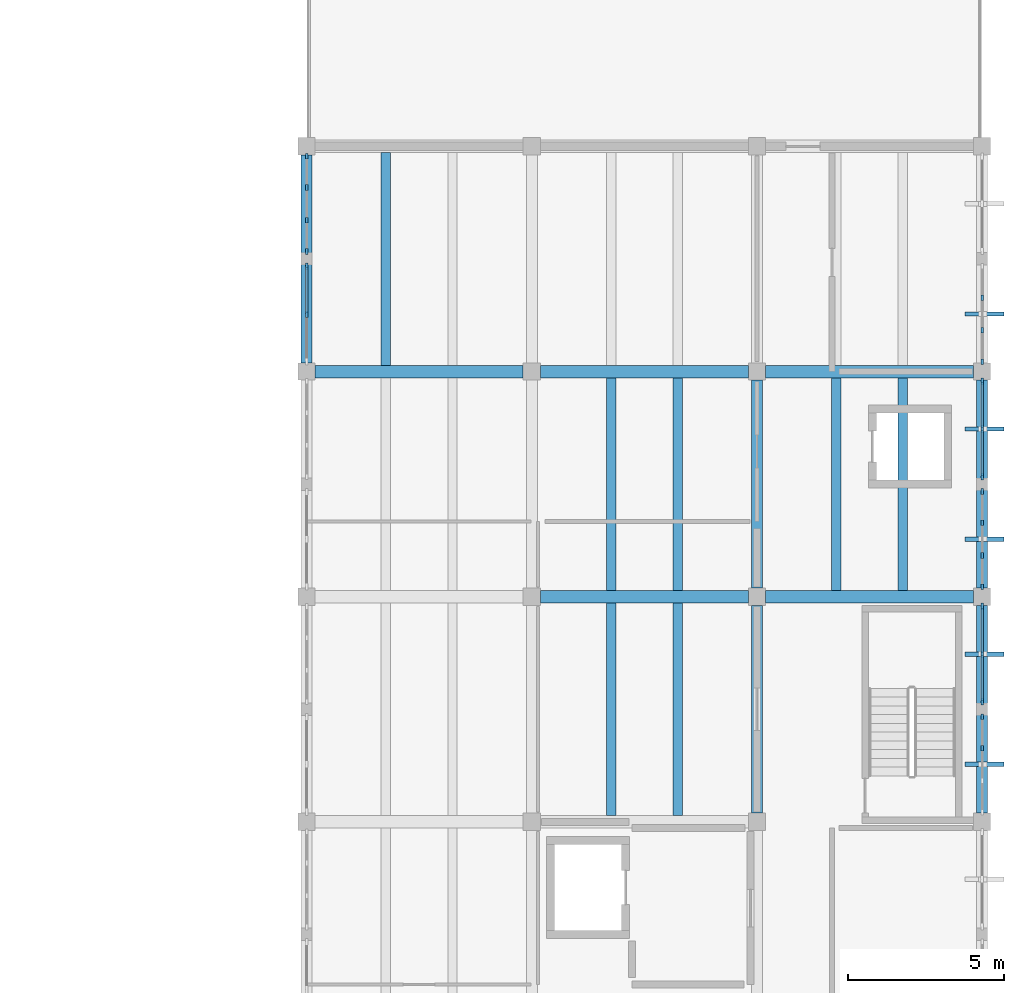
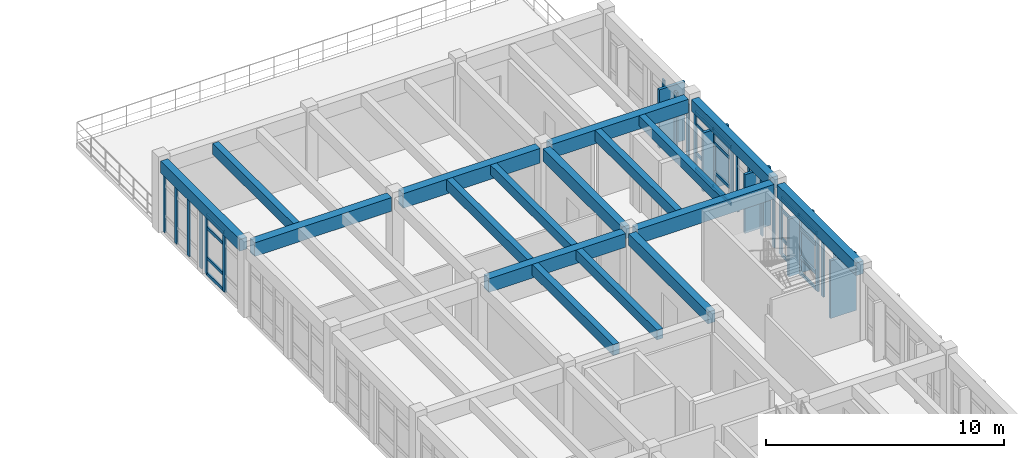
# One storey, part 5 of 22: 46 members, 17 beams, 7 elements without a shape of their own.
"""IFC4 building model written with IfcOpenShell, lengths in metres."""

from ifc_helpers import new_model, si_unit, direction, frame, origin, origin_2d, place, context, subcontext, project, spatial, rectangle, extrude, material, layer, layer_set, material_profile, profile_set, type_object, element, aggregate, save


model = new_model("IFC4")

# Units and contexts
model_context = context("Model", 3, precision=1e-05, world=origin(), true_north=direction((0.0, 1.0)))
body_context = subcontext(model_context, "Body", "Model", "MODEL_VIEW")
ifc_project = project(units=[si_unit("LENGTHUNIT", "METRE"), si_unit("AREAUNIT", "SQUARE_METRE"), si_unit("VOLUMEUNIT", "CUBIC_METRE"), si_unit("PLANEANGLEUNIT", "RADIAN"), si_unit("MASSUNIT", "GRAM", prefix="KILO")], contexts=[model_context])

# Site, building, storey
site_placement = place(None, origin())
site = spatial("IfcSite", under=ifc_project, at=site_placement, CompositionType="ELEMENT")
building_placement = place(site_placement, origin())
building = spatial("IfcBuilding", under=site, at=building_placement, Name="Koriwan Promenade Central Fire Station", CompositionType="ELEMENT")
storey_placement = place(building_placement, frame((0.0, 0.0, 17.39990234375)))
storey = spatial("IfcBuildingStorey", under=building, at=storey_placement, Name="L04", CompositionType="ELEMENT", Elevation=17.39990234375)

# Beams
ifc_material_1 = material(Name="Concrete C35/45", Category="concrete")
ifc_material_profile_1 = material_profile(ifc_material_1, rectangle(XDim=0.300048828125, YDim=0.5, at=origin_2d()), Name="RC-BM-300x500")
ifc_profile_set_1 = profile_set([ifc_material_profile_1], Name="Concrete C35/45")
beam_type_1 = type_object("IfcBeamType", Name="Beam_RC-BM-300x500", PredefinedType="JOIST", material=ifc_profile_set_1)
beam_1_placement = place(storey_placement, frame((163.06396484375, 14.60009765625, 3.3701171875), z_axis=(0.0, 1.0, 0.0), x_axis=(-1.0, 0.0, 0.0)))
element("IfcBeam", 1, at=beam_1_placement, inside=storey, type_object=beam_type_1, Name="V5 L04 secondary joist 975", PredefinedType="JOIST", context=body_context, shape_type="SweptSolid", body=[
    extrude(rectangle(XDim=0.300048828125, YDim=0.5, at=origin_2d()), origin(), (0.0, 0.0, 1.0), 6.7998046875),
])
for number, where, z_axis, x_axis, name in (
    (2, (163.06396484375, 21.800048828125, 3.3701171875), (0.0, 1.0, 0.0), (-1.0, 0.0, 0.0), "V5 L04 secondary joist 979"),
    (3, (170.263916015625, 21.800048828125, 3.3701171875), (0.0, 1.0, 0.0), (-1.0, 0.0, 0.0), "V5 L04 secondary joist 981"),
):
    element("IfcBeam", number, at=place(storey_placement, frame(where, z_axis=z_axis, x_axis=x_axis)), inside=storey, type_object=beam_type_1, Name=name, PredefinedType="JOIST", context=body_context, shape_type="SweptSolid", body=[
        extrude(rectangle(XDim=0.300048828125, YDim=0.5, at=origin_2d()), origin(), (0.0, 0.0, 1.0), 6.800048828125),
    ])
ifc_material_profile_2 = material_profile(ifc_material_1, rectangle(XDim=0.300048828125, YDim=0.550048828125, at=origin_2d()), Name="RC-BM-300x550")
ifc_profile_set_2 = profile_set([ifc_material_profile_2], Name="Concrete C35/45")
beam_type_2 = type_object("IfcBeamType", Name="Beam_RC-BM-300x550", PredefinedType="JOIST", material=ifc_profile_set_2)
beam_2_placement = place(storey_placement, frame((160.93603515625, 14.60009765625, 3.34521484375), z_axis=(0.0, 1.0, 0.0), x_axis=(-1.0, 0.0, 0.0)))
element("IfcBeam", 4, at=beam_2_placement, inside=storey, type_object=beam_type_2, Name="V5 L04 secondary joist 974", PredefinedType="JOIST", context=body_context, shape_type="SweptSolid", body=[
    extrude(rectangle(XDim=0.300048828125, YDim=0.550048828125, at=origin_2d()), origin(), (0.0, 0.0, 1.0), 6.7998046875),
])
for number, where, z_axis, x_axis, name in (
    (5, (160.93603515625, 21.800048828125, 3.34521484375), (0.0, 1.0, 0.0), (-1.0, 0.0, 0.0), "V5 L04 secondary joist 978"),
    (6, (168.135986328125, 21.800048828125, 3.34521484375), (0.0, 1.0, 0.0), (-1.0, 0.0, 0.0), "V5 L04 secondary joist 980"),
    (7, (153.736083984375, 29.0, 3.34521484375), (0.0, 1.0, 0.0), (-1.0, 0.0, 0.0), "V5 L04 secondary joist 982"),
):
    element("IfcBeam", number, at=place(storey_placement, frame(where, z_axis=z_axis, x_axis=x_axis)), inside=storey, type_object=beam_type_2, Name=name, PredefinedType="JOIST", context=body_context, shape_type="SweptSolid", body=[
        extrude(rectangle(XDim=0.300048828125, YDim=0.550048828125, at=origin_2d()), origin(), (0.0, 0.0, 1.0), 6.800048828125),
    ])
ifc_material_profile_3 = material_profile(ifc_material_1, rectangle(XDim=0.35009765625, YDim=0.60009765625, at=origin_2d()), Name="RC-BM-350x600")
ifc_profile_set_3 = profile_set([ifc_material_profile_3], Name="Concrete C35/45")
beam_type_3 = type_object("IfcBeamType", Name="Beam_RC-BM-350x600", PredefinedType="BEAM", material=ifc_profile_set_3)
beam_3_placement = place(storey_placement, frame((151.199951171875, 29.074951171875, 3.360107421875), z_axis=(0.0, 1.0, 0.0), x_axis=(-1.0, 0.0, 0.0)))
element("IfcBeam", 8, at=beam_3_placement, inside=storey, type_object=beam_type_3, Name="V5 L04 girder Y-950", PredefinedType="BEAM", context=body_context, shape_type="SweptSolid", body=[
    extrude(rectangle(XDim=0.35009765625, YDim=0.60009765625, at=origin_2d()), origin(), (0.0, 0.0, 1.0), 6.650146484375),
])
for number, where, z_axis, x_axis, name in (
    (9, (165.60009765625, 14.675048828125, 3.320068359375), (0.0, 1.0, 0.0), (-1.0, 0.0, 0.0), "V5 L04 girder Y-958"),
    (10, (172.800048828125, 21.875, 3.320068359375), (0.0, 1.0, 0.0), (-1.0, 0.0, 0.0), "V5 L04 girder Y-964"),
):
    element("IfcBeam", number, at=place(storey_placement, frame(where, z_axis=z_axis, x_axis=x_axis)), inside=storey, type_object=beam_type_3, Name=name, PredefinedType="BEAM", context=body_context, shape_type="SweptSolid", body=[
        extrude(rectangle(XDim=0.35009765625, YDim=0.60009765625, at=origin_2d()), origin(), (0.0, 0.0, 1.0), 6.64990234375),
    ])
ifc_material_profile_4 = material_profile(ifc_material_1, rectangle(XDim=0.35009765625, YDim=0.64990234375, at=origin_2d()), Name="RC-BM-350x650")
ifc_profile_set_4 = profile_set([ifc_material_profile_4], Name="Concrete C35/45")
beam_type_4 = type_object("IfcBeamType", Name="Beam_RC-BM-350x650", PredefinedType="BEAM", material=ifc_profile_set_4)
for number, where, z_axis, x_axis, name in (
    (11, (165.60009765625, 21.875, 3.295166015625), (0.0, 1.0, 0.0), (-1.0, 0.0, 0.0), "V5 L04 girder Y-959"),
    (12, (172.800048828125, 14.675048828125, 3.295166015625), (0.0, 1.0, 0.0), (-1.0, 0.0, 0.0), "V5 L04 girder Y-963"),
):
    element("IfcBeam", number, at=place(storey_placement, frame(where, z_axis=z_axis, x_axis=x_axis)), inside=storey, type_object=beam_type_4, Name=name, PredefinedType="BEAM", context=body_context, shape_type="SweptSolid", body=[
        extrude(rectangle(XDim=0.35009765625, YDim=0.64990234375, at=origin_2d()), origin(), (0.0, 0.0, 1.0), 6.64990234375),
    ])
ifc_material_profile_5 = material_profile(ifc_material_1, rectangle(XDim=0.39990234375, YDim=0.699951171875, at=origin_2d()), Name="RC-BM-400x700")
ifc_profile_set_5 = profile_set([ifc_material_profile_5], Name="Concrete C35/45")
beam_type_5 = type_object("IfcBeamType", Name="Beam_RC-BM-400x700", PredefinedType="BEAM", material=ifc_profile_set_5)
for number, where, z_axis, x_axis, name in (
    (13, (158.675048828125, 21.60009765625, 3.27001953125), (1.0, 0.0, 0.0), (0.0, 1.0, 0.0), "V5 L04 girder X-938"),
    (14, (151.47509765625, 28.800048828125, 3.27001953125), (1.0, 0.0, 0.0), (0.0, 1.0, 0.0), "V5 L04 girder X-940"),
    (15, (165.875, 28.800048828125, 3.27001953125), (1.0, 0.0, 0.0), (0.0, 1.0, 0.0), "V5 L04 girder X-942"),
):
    element("IfcBeam", number, at=place(storey_placement, frame(where, z_axis=z_axis, x_axis=x_axis)), inside=storey, type_object=beam_type_5, Name=name, PredefinedType="BEAM", context=body_context, shape_type="SweptSolid", body=[
        extrude(rectangle(XDim=0.39990234375, YDim=0.699951171875, at=origin_2d()), origin(), (0.0, 0.0, 1.0), 6.64990234375),
    ])
ifc_material_profile_6 = material_profile(ifc_material_1, rectangle(XDim=0.39990234375, YDim=0.75, at=origin_2d()), Name="RC-BM-400x750")
ifc_profile_set_6 = profile_set([ifc_material_profile_6], Name="Concrete C35/45")
beam_type_6 = type_object("IfcBeamType", Name="Beam_RC-BM-400x750", PredefinedType="BEAM", material=ifc_profile_set_6)
for number, where, z_axis, x_axis, name in (
    (16, (165.875, 21.60009765625, 3.2451171875), (1.0, 0.0, 0.0), (0.0, 1.0, 0.0), "V5 L04 girder X-939"),
    (17, (158.675048828125, 28.800048828125, 3.2451171875), (1.0, 0.0, 0.0), (0.0, 1.0, 0.0), "V5 L04 girder X-941"),
):
    element("IfcBeam", number, at=place(storey_placement, frame(where, z_axis=z_axis, x_axis=x_axis)), inside=storey, type_object=beam_type_6, Name=name, PredefinedType="BEAM", context=body_context, shape_type="SweptSolid", body=[
        extrude(rectangle(XDim=0.39990234375, YDim=0.75, at=origin_2d()), origin(), (0.0, 0.0, 1.0), 6.64990234375),
    ])

# Curtain wall, members
ifc_material_2 = material(Name="Aluminium EN AW-6063-T6 and low-E glazing", Category="aluminium")
ifc_layer_1 = layer(ifc_material_2, 0.159912109375, Name="Aluminium EN AW-6063-T6 and low-E glazing")
ifc_layer_set_1 = layer_set([ifc_layer_1], Name="Aluminium EN AW-6063-T6 and low-E glazing")
curtain_wall_type_1 = type_object("IfcCurtainWallType", Name="CurtainWall_82_312x296", PredefinedType="USERDEFINED", material=ifc_layer_set_1)
curtain_wall_1_placement = place(storey_placement, origin())
curtain_wall_1 = element("IfcCurtainWall", 18, at=curtain_wall_1_placement, inside=storey, type_object=curtain_wall_type_1, Name="V5 L04 unitised curtain wall 255", ObjectType="UNITISED CURTAIN WALL", PredefinedType="USERDEFINED")
ifc_material_3 = material(Name="Aluminium EN AW-6063-T6", Category="aluminium")
ifc_material_profile_7 = material_profile(ifc_material_3, rectangle(XDim=0.074951171875, YDim=0.179931640625, at=origin_2d()), Name="ALU-MUL-75x180")
ifc_profile_set_7 = profile_set([ifc_material_profile_7], Name="Aluminium EN AW-6063-T6")
member_type_1 = type_object("IfcMemberType", Name="CWMullion_ALU-MUL-75x180", PredefinedType="MULLION", material=ifc_profile_set_7)
member_1_placement = place(storey_placement, frame((172.800048828125, 16.75830078125, 0.0), z_axis=(0.0, 0.0, 1.0), x_axis=(-1.0, 0.0, 0.0)))
member_1 = element("IfcMember", 19, at=member_1_placement, type_object=member_type_1, Name="CW-82 mullion 3", PredefinedType="MULLION", context=body_context, shape_type="SweptSolid", body=[
    extrude(rectangle(XDim=0.074951171875, YDim=0.179931640625, at=origin_2d()), origin(), (0.0, 0.0, 1.0), 2.960205078125),
])
member_2_placement = place(storey_placement, frame((172.800048828125, 17.762451171875, 0.0), z_axis=(0.0, 0.0, 1.0), x_axis=(-1.0, 0.0, 0.0)))
member_2 = element("IfcMember", 20, at=member_2_placement, type_object=member_type_1, Name="CW-82 mullion 4", PredefinedType="MULLION", context=body_context, shape_type="SweptSolid", body=[
    extrude(rectangle(XDim=0.074951171875, YDim=0.179931640625, at=origin_2d()), origin(), (0.0, 0.0, 1.0), 2.960205078125),
])
aggregate(curtain_wall_1, [member_1, member_2])

ifc_layer_2 = layer(ifc_material_2, 0.159912109375, Name="Aluminium EN AW-6063-T6 and low-E glazing")
ifc_layer_set_2 = layer_set([ifc_layer_2], Name="Aluminium EN AW-6063-T6 and low-E glazing")
curtain_wall_type_2 = type_object("IfcCurtainWallType", Name="CurtainWall_84_312x301", PredefinedType="USERDEFINED", material=ifc_layer_set_2)
curtain_wall_2_placement = place(storey_placement, origin())
curtain_wall_2 = element("IfcCurtainWall", 21, at=curtain_wall_2_placement, inside=storey, type_object=curtain_wall_type_2, Name="V5 L04 unitised curtain wall 257", ObjectType="UNITISED CURTAIN WALL", PredefinedType="USERDEFINED")
member_3_placement = place(storey_placement, frame((172.800048828125, 21.91259765625, 0.0), z_axis=(0.0, 0.0, 1.0), x_axis=(-1.0, 0.0, 0.0)))
member_3 = element("IfcMember", 22, at=member_3_placement, type_object=member_type_1, Name="CW-84 mullion 1", PredefinedType="MULLION", context=body_context, shape_type="SweptSolid", body=[
    extrude(rectangle(XDim=0.074951171875, YDim=0.179931640625, at=origin_2d()), origin(), (0.0, 0.0, 1.0), 3.010009765625),
])
member_4_placement = place(storey_placement, frame((172.800048828125, 22.916748046875, 0.0), z_axis=(0.0, 0.0, 1.0), x_axis=(-1.0, 0.0, 0.0)))
member_4 = element("IfcMember", 23, at=member_4_placement, type_object=member_type_1, Name="CW-84 mullion 2", PredefinedType="MULLION", context=body_context, shape_type="SweptSolid", body=[
    extrude(rectangle(XDim=0.074951171875, YDim=0.179931640625, at=origin_2d()), origin(), (0.0, 0.0, 1.0), 3.010009765625),
])
member_5_placement = place(storey_placement, frame((172.800048828125, 23.958251953125, 0.0), z_axis=(0.0, 0.0, 1.0), x_axis=(-1.0, 0.0, 0.0)))
member_5 = element("IfcMember", 24, at=member_5_placement, type_object=member_type_1, Name="CW-84 mullion 3", PredefinedType="MULLION", context=body_context, shape_type="SweptSolid", body=[
    extrude(rectangle(XDim=0.074951171875, YDim=0.179931640625, at=origin_2d()), origin(), (0.0, 0.0, 1.0), 3.010009765625),
])
member_6_placement = place(storey_placement, frame((172.800048828125, 24.96240234375, 0.0), z_axis=(0.0, 0.0, 1.0), x_axis=(-1.0, 0.0, 0.0)))
member_6 = element("IfcMember", 25, at=member_6_placement, type_object=member_type_1, Name="CW-84 mullion 4", PredefinedType="MULLION", context=body_context, shape_type="SweptSolid", body=[
    extrude(rectangle(XDim=0.074951171875, YDim=0.179931640625, at=origin_2d()), origin(), (0.0, 0.0, 1.0), 3.010009765625),
])
aggregate(curtain_wall_2, [member_3, member_4, member_5, member_6])

ifc_layer_3 = layer(ifc_material_2, 0.159912109375, Name="Aluminium EN AW-6063-T6 and low-E glazing")
ifc_layer_set_3 = layer_set([ifc_layer_3], Name="Aluminium EN AW-6063-T6 and low-E glazing")
curtain_wall_type_3 = type_object("IfcCurtainWallType", Name="CurtainWall_86_313x300", PredefinedType="USERDEFINED", material=ifc_layer_set_3)
curtain_wall_3_placement = place(storey_placement, origin())
curtain_wall_3 = element("IfcCurtainWall", 26, at=curtain_wall_3_placement, inside=storey, type_object=curtain_wall_type_3, Name="V5 L04 unitised curtain wall 259", ObjectType="UNITISED CURTAIN WALL", PredefinedType="USERDEFINED")
member_7_placement = place(storey_placement, frame((172.800048828125, 29.112548828125, 0.0), z_axis=(0.0, 0.0, 1.0), x_axis=(-1.0, 0.0, 0.0)))
member_7 = element("IfcMember", 27, at=member_7_placement, type_object=member_type_1, Name="CW-86 mullion 1", PredefinedType="MULLION", context=body_context, shape_type="SweptSolid", body=[
    extrude(rectangle(XDim=0.074951171875, YDim=0.179931640625, at=origin_2d()), origin(), (0.0, 0.0, 1.0), 3.0),
])
member_8_placement = place(storey_placement, frame((172.800048828125, 30.11669921875, 0.0), z_axis=(0.0, 0.0, 1.0), x_axis=(-1.0, 0.0, 0.0)))
member_8 = element("IfcMember", 28, at=member_8_placement, type_object=member_type_1, Name="CW-86 mullion 2", PredefinedType="MULLION", context=body_context, shape_type="SweptSolid", body=[
    extrude(rectangle(XDim=0.074951171875, YDim=0.179931640625, at=origin_2d()), origin(), (0.0, 0.0, 1.0), 3.0),
])
member_9_placement = place(storey_placement, frame((172.800048828125, 31.158447265625, 0.0), z_axis=(0.0, 0.0, 1.0), x_axis=(-1.0, 0.0, 0.0)))
member_9 = element("IfcMember", 29, at=member_9_placement, type_object=member_type_1, Name="CW-86 mullion 3", PredefinedType="MULLION", context=body_context, shape_type="SweptSolid", body=[
    extrude(rectangle(XDim=0.074951171875, YDim=0.179931640625, at=origin_2d()), origin(), (0.0, 0.0, 1.0), 3.0),
])
aggregate(curtain_wall_3, [member_7, member_8, member_9])

ifc_layer_4 = layer(ifc_material_2, 0.159912109375, Name="Aluminium EN AW-6063-T6 and low-E glazing")
ifc_layer_set_4 = layer_set([ifc_layer_4], Name="Aluminium EN AW-6063-T6 and low-E glazing")
curtain_wall_type_4 = type_object("IfcCurtainWallType", Name="CurtainWall_88_312x305", PredefinedType="USERDEFINED", material=ifc_layer_set_4)
curtain_wall_4_placement = place(storey_placement, origin())
curtain_wall_4 = element("IfcCurtainWall", 30, at=curtain_wall_4_placement, inside=storey, type_object=curtain_wall_type_4, Name="V5 L04 unitised curtain wall 261", ObjectType="UNITISED CURTAIN WALL", PredefinedType="USERDEFINED")
member_10_placement = place(storey_placement, frame((151.199951171875, 35.6875, 0.0), z_axis=(0.0, 0.0, 1.0), x_axis=(1.0, 0.0, 0.0)))
member_10 = element("IfcMember", 31, at=member_10_placement, type_object=member_type_1, Name="CW-88 mullion 1", PredefinedType="MULLION", context=body_context, shape_type="SweptSolid", body=[
    extrude(rectangle(XDim=0.074951171875, YDim=0.179931640625, at=origin_2d()), origin(), (0.0, 0.0, 1.0), 3.050048828125),
])
member_11_placement = place(storey_placement, frame((151.199951171875, 34.683349609375, 0.0), z_axis=(0.0, 0.0, 1.0), x_axis=(1.0, 0.0, 0.0)))
member_11 = element("IfcMember", 32, at=member_11_placement, type_object=member_type_1, Name="CW-88 mullion 2", PredefinedType="MULLION", context=body_context, shape_type="SweptSolid", body=[
    extrude(rectangle(XDim=0.074951171875, YDim=0.179931640625, at=origin_2d()), origin(), (0.0, 0.0, 1.0), 3.050048828125),
])
member_12_placement = place(storey_placement, frame((151.199951171875, 33.6416015625, 0.0), z_axis=(0.0, 0.0, 1.0), x_axis=(1.0, 0.0, 0.0)))
member_12 = element("IfcMember", 33, at=member_12_placement, type_object=member_type_1, Name="CW-88 mullion 3", PredefinedType="MULLION", context=body_context, shape_type="SweptSolid", body=[
    extrude(rectangle(XDim=0.074951171875, YDim=0.179931640625, at=origin_2d()), origin(), (0.0, 0.0, 1.0), 3.050048828125),
])
member_13_placement = place(storey_placement, frame((151.199951171875, 32.637451171875, 0.0), z_axis=(0.0, 0.0, 1.0), x_axis=(1.0, 0.0, 0.0)))
member_13 = element("IfcMember", 34, at=member_13_placement, type_object=member_type_1, Name="CW-88 mullion 4", PredefinedType="MULLION", context=body_context, shape_type="SweptSolid", body=[
    extrude(rectangle(XDim=0.074951171875, YDim=0.179931640625, at=origin_2d()), origin(), (0.0, 0.0, 1.0), 3.050048828125),
])
aggregate(curtain_wall_4, [member_10, member_11, member_12, member_13])

ifc_layer_5 = layer(ifc_material_2, 0.159912109375, Name="Aluminium EN AW-6063-T6 and low-E glazing")
ifc_layer_set_5 = layer_set([ifc_layer_5], Name="Aluminium EN AW-6063-T6 and low-E glazing")
curtain_wall_type_5 = type_object("IfcCurtainWallType", Name="CurtainWall_83_312x296", PredefinedType="USERDEFINED", material=ifc_layer_set_5)
curtain_wall_5_placement = place(storey_placement, origin())
curtain_wall_5 = element("IfcCurtainWall", 35, at=curtain_wall_5_placement, inside=storey, type_object=curtain_wall_type_5, Name="V5 L04 unitised curtain wall 256", ObjectType="UNITISED CURTAIN WALL", PredefinedType="USERDEFINED")
ifc_material_profile_8 = material_profile(ifc_material_3, rectangle(XDim=0.080078125, YDim=0.2099609375, at=origin_2d()), Name="ALU-MUL-80x210")
ifc_profile_set_8 = profile_set([ifc_material_profile_8], Name="Aluminium EN AW-6063-T6")
member_type_2 = type_object("IfcMemberType", Name="CWMullion_ALU-MUL-80x210", PredefinedType="MULLION", material=ifc_profile_set_8)
member_14_placement = place(storey_placement, frame((172.800048828125, 18.239990234375, 0.0), z_axis=(0.0, 0.0, 1.0), x_axis=(-1.0, 0.0, 0.0)))
member_14 = element("IfcMember", 36, at=member_14_placement, type_object=member_type_2, Name="CW-83 mullion 1", PredefinedType="MULLION", context=body_context, shape_type="SweptSolid", body=[
    extrude(rectangle(XDim=0.080078125, YDim=0.2099609375, at=origin_2d()), origin(), (0.0, 0.0, 1.0), 2.960205078125),
])
member_15_placement = place(storey_placement, frame((172.800048828125, 19.762451171875, 0.0), z_axis=(0.0, 0.0, 1.0), x_axis=(-1.0, 0.0, 0.0)))
member_15 = element("IfcMember", 37, at=member_15_placement, type_object=member_type_2, Name="CW-83 mullion 2", PredefinedType="MULLION", context=body_context, shape_type="SweptSolid", body=[
    extrude(rectangle(XDim=0.080078125, YDim=0.2099609375, at=origin_2d()), origin(), (0.0, 0.0, 1.0), 2.960205078125),
])
member_16_placement = place(storey_placement, frame((172.800048828125, 21.284912109375, 0.0), z_axis=(0.0, 0.0, 1.0), x_axis=(-1.0, 0.0, 0.0)))
member_16 = element("IfcMember", 38, at=member_16_placement, type_object=member_type_2, Name="CW-83 mullion 3", PredefinedType="MULLION", context=body_context, shape_type="SweptSolid", body=[
    extrude(rectangle(XDim=0.080078125, YDim=0.2099609375, at=origin_2d()), origin(), (0.0, 0.0, 1.0), 2.960205078125),
])

ifc_layer_6 = layer(ifc_material_2, 0.159912109375, Name="Aluminium EN AW-6063-T6 and low-E glazing")
ifc_layer_set_6 = layer_set([ifc_layer_6], Name="Aluminium EN AW-6063-T6 and low-E glazing")
curtain_wall_type_6 = type_object("IfcCurtainWallType", Name="CurtainWall_85_312x301", PredefinedType="USERDEFINED", material=ifc_layer_set_6)
curtain_wall_6_placement = place(storey_placement, origin())
curtain_wall_6 = element("IfcCurtainWall", 39, at=curtain_wall_6_placement, inside=storey, type_object=curtain_wall_type_6, Name="V5 L04 unitised curtain wall 258", ObjectType="UNITISED CURTAIN WALL", PredefinedType="USERDEFINED")
member_17_placement = place(storey_placement, frame((172.800048828125, 25.43994140625, 0.0), z_axis=(0.0, 0.0, 1.0), x_axis=(-1.0, 0.0, 0.0)))
member_17 = element("IfcMember", 40, at=member_17_placement, type_object=member_type_2, Name="CW-85 mullion 1", PredefinedType="MULLION", context=body_context, shape_type="SweptSolid", body=[
    extrude(rectangle(XDim=0.080078125, YDim=0.2099609375, at=origin_2d()), origin(), (0.0, 0.0, 1.0), 3.010009765625),
])
member_18_placement = place(storey_placement, frame((172.800048828125, 26.96240234375, 0.0), z_axis=(0.0, 0.0, 1.0), x_axis=(-1.0, 0.0, 0.0)))
member_18 = element("IfcMember", 41, at=member_18_placement, type_object=member_type_2, Name="CW-85 mullion 2", PredefinedType="MULLION", context=body_context, shape_type="SweptSolid", body=[
    extrude(rectangle(XDim=0.080078125, YDim=0.2099609375, at=origin_2d()), origin(), (0.0, 0.0, 1.0), 3.010009765625),
])
member_19_placement = place(storey_placement, frame((172.800048828125, 28.485107421875, 0.0), z_axis=(0.0, 0.0, 1.0), x_axis=(-1.0, 0.0, 0.0)))
member_19 = element("IfcMember", 42, at=member_19_placement, type_object=member_type_2, Name="CW-85 mullion 3", PredefinedType="MULLION", context=body_context, shape_type="SweptSolid", body=[
    extrude(rectangle(XDim=0.080078125, YDim=0.2099609375, at=origin_2d()), origin(), (0.0, 0.0, 1.0), 3.010009765625),
])

ifc_layer_7 = layer(ifc_material_2, 0.159912109375, Name="Aluminium EN AW-6063-T6 and low-E glazing")
ifc_layer_set_7 = layer_set([ifc_layer_7], Name="Aluminium EN AW-6063-T6 and low-E glazing")
curtain_wall_type_7 = type_object("IfcCurtainWallType", Name="CurtainWall_89_313x305", PredefinedType="USERDEFINED", material=ifc_layer_set_7)
curtain_wall_7_placement = place(storey_placement, origin())
curtain_wall_7 = element("IfcCurtainWall", 43, at=curtain_wall_7_placement, inside=storey, type_object=curtain_wall_type_7, Name="V5 L04 unitised curtain wall 262", ObjectType="UNITISED CURTAIN WALL", PredefinedType="USERDEFINED")
member_20_placement = place(storey_placement, frame((151.199951171875, 32.159912109375, 0.0), z_axis=(0.0, 0.0, 1.0), x_axis=(1.0, 0.0, 0.0)))
member_20 = element("IfcMember", 44, at=member_20_placement, type_object=member_type_2, Name="CW-89 mullion 1", PredefinedType="MULLION", context=body_context, shape_type="SweptSolid", body=[
    extrude(rectangle(XDim=0.080078125, YDim=0.2099609375, at=origin_2d()), origin(), (0.0, 0.0, 1.0), 3.050048828125),
])
member_21_placement = place(storey_placement, frame((151.199951171875, 30.637451171875, 0.0), z_axis=(0.0, 0.0, 1.0), x_axis=(1.0, 0.0, 0.0)))
member_21 = element("IfcMember", 45, at=member_21_placement, type_object=member_type_2, Name="CW-89 mullion 2", PredefinedType="MULLION", context=body_context, shape_type="SweptSolid", body=[
    extrude(rectangle(XDim=0.080078125, YDim=0.2099609375, at=origin_2d()), origin(), (0.0, 0.0, 1.0), 3.050048828125),
])

# Member
ifc_material_profile_9 = material_profile(ifc_material_3, rectangle(XDim=0.080078125, YDim=0.155029296875, at=origin_2d()), Name="ALU-TRN-80x155")
ifc_profile_set_9 = profile_set([ifc_material_profile_9], Name="Aluminium EN AW-6063-T6")
member_type_3 = type_object("IfcMemberType", Name="CWTransom_ALU-TRN-80x155", PredefinedType="USERDEFINED", material=ifc_profile_set_9)
member_22_placement = place(storey_placement, frame((172.800048828125, 18.280029296875, 0.0400390625), z_axis=(0.0, 1.0, 0.0), x_axis=(-1.0, 0.0, 0.0)))
member_22 = element("IfcMember", 46, at=member_22_placement, type_object=member_type_3, Name="CW-83 transom 1.1", ObjectType="TRANSOM", PredefinedType="USERDEFINED", context=body_context, shape_type="SweptSolid", body=[
    extrude(rectangle(XDim=0.080078125, YDim=0.155029296875, at=origin_2d()), origin(), (0.0, 0.0, 1.0), 1.4423828125),
])

member_23_placement = place(storey_placement, frame((172.800048828125, 18.280029296875, 0.85009765625), z_axis=(0.0, 1.0, 0.0), x_axis=(-1.0, 0.0, 0.0)))
member_23 = element("IfcMember", 47, at=member_23_placement, type_object=member_type_3, Name="CW-83 transom 1.2", ObjectType="TRANSOM", PredefinedType="USERDEFINED", context=body_context, shape_type="SweptSolid", body=[
    extrude(rectangle(XDim=0.080078125, YDim=0.155029296875, at=origin_2d()), origin(), (0.0, 0.0, 1.0), 1.4423828125),
])

member_24_placement = place(storey_placement, frame((172.800048828125, 18.280029296875, 2.31005859375), z_axis=(0.0, 1.0, 0.0), x_axis=(-1.0, 0.0, 0.0)))
member_24 = element("IfcMember", 48, at=member_24_placement, type_object=member_type_3, Name="CW-83 transom 1.3", ObjectType="TRANSOM", PredefinedType="USERDEFINED", context=body_context, shape_type="SweptSolid", body=[
    extrude(rectangle(XDim=0.080078125, YDim=0.155029296875, at=origin_2d()), origin(), (0.0, 0.0, 1.0), 1.4423828125),
])

member_25_placement = place(storey_placement, frame((172.800048828125, 18.280029296875, 2.920166015625), z_axis=(0.0, 1.0, 0.0), x_axis=(-1.0, 0.0, 0.0)))
member_25 = element("IfcMember", 49, at=member_25_placement, type_object=member_type_3, Name="CW-83 transom 1.4", ObjectType="TRANSOM", PredefinedType="USERDEFINED", context=body_context, shape_type="SweptSolid", body=[
    extrude(rectangle(XDim=0.080078125, YDim=0.155029296875, at=origin_2d()), origin(), (0.0, 0.0, 1.0), 1.4423828125),
])

member_26_placement = place(storey_placement, frame((172.800048828125, 19.802490234375, 0.0400390625), z_axis=(0.0, 1.0, 0.0), x_axis=(-1.0, 0.0, 0.0)))
member_26 = element("IfcMember", 50, at=member_26_placement, type_object=member_type_3, Name="CW-83 transom 2.1", ObjectType="TRANSOM", PredefinedType="USERDEFINED", context=body_context, shape_type="SweptSolid", body=[
    extrude(rectangle(XDim=0.080078125, YDim=0.155029296875, at=origin_2d()), origin(), (0.0, 0.0, 1.0), 1.442626953125),
])

member_27_placement = place(storey_placement, frame((172.800048828125, 19.802490234375, 0.85009765625), z_axis=(0.0, 1.0, 0.0), x_axis=(-1.0, 0.0, 0.0)))
member_27 = element("IfcMember", 51, at=member_27_placement, type_object=member_type_3, Name="CW-83 transom 2.2", ObjectType="TRANSOM", PredefinedType="USERDEFINED", context=body_context, shape_type="SweptSolid", body=[
    extrude(rectangle(XDim=0.080078125, YDim=0.155029296875, at=origin_2d()), origin(), (0.0, 0.0, 1.0), 1.442626953125),
])

member_28_placement = place(storey_placement, frame((172.800048828125, 19.802490234375, 2.31005859375), z_axis=(0.0, 1.0, 0.0), x_axis=(-1.0, 0.0, 0.0)))
member_28 = element("IfcMember", 52, at=member_28_placement, type_object=member_type_3, Name="CW-83 transom 2.3", ObjectType="TRANSOM", PredefinedType="USERDEFINED", context=body_context, shape_type="SweptSolid", body=[
    extrude(rectangle(XDim=0.080078125, YDim=0.155029296875, at=origin_2d()), origin(), (0.0, 0.0, 1.0), 1.442626953125),
])

member_29_placement = place(storey_placement, frame((172.800048828125, 19.802490234375, 2.920166015625), z_axis=(0.0, 1.0, 0.0), x_axis=(-1.0, 0.0, 0.0)))
member_29 = element("IfcMember", 53, at=member_29_placement, type_object=member_type_3, Name="CW-83 transom 2.4", ObjectType="TRANSOM", PredefinedType="USERDEFINED", context=body_context, shape_type="SweptSolid", body=[
    extrude(rectangle(XDim=0.080078125, YDim=0.155029296875, at=origin_2d()), origin(), (0.0, 0.0, 1.0), 1.442626953125),
])

aggregate(curtain_wall_5, [member_14, member_15, member_16, member_22, member_23, member_24, member_25, member_26, member_27, member_28, member_29])

member_30_placement = place(storey_placement, frame((172.800048828125, 25.47998046875, 0.0400390625), z_axis=(0.0, 1.0, 0.0), x_axis=(-1.0, 0.0, 0.0)))
member_30 = element("IfcMember", 54, at=member_30_placement, type_object=member_type_3, Name="CW-85 transom 1.1", ObjectType="TRANSOM", PredefinedType="USERDEFINED", context=body_context, shape_type="SweptSolid", body=[
    extrude(rectangle(XDim=0.080078125, YDim=0.155029296875, at=origin_2d()), origin(), (0.0, 0.0, 1.0), 1.442626953125),
])

member_31_placement = place(storey_placement, frame((172.800048828125, 25.47998046875, 0.85009765625), z_axis=(0.0, 1.0, 0.0), x_axis=(-1.0, 0.0, 0.0)))
member_31 = element("IfcMember", 55, at=member_31_placement, type_object=member_type_3, Name="CW-85 transom 1.2", ObjectType="TRANSOM", PredefinedType="USERDEFINED", context=body_context, shape_type="SweptSolid", body=[
    extrude(rectangle(XDim=0.080078125, YDim=0.155029296875, at=origin_2d()), origin(), (0.0, 0.0, 1.0), 1.442626953125),
])

member_32_placement = place(storey_placement, frame((172.800048828125, 25.47998046875, 2.360107421875), z_axis=(0.0, 1.0, 0.0), x_axis=(-1.0, 0.0, 0.0)))
member_32 = element("IfcMember", 56, at=member_32_placement, type_object=member_type_3, Name="CW-85 transom 1.3", ObjectType="TRANSOM", PredefinedType="USERDEFINED", context=body_context, shape_type="SweptSolid", body=[
    extrude(rectangle(XDim=0.080078125, YDim=0.155029296875, at=origin_2d()), origin(), (0.0, 0.0, 1.0), 1.442626953125),
])

member_33_placement = place(storey_placement, frame((172.800048828125, 25.47998046875, 2.97021484375), z_axis=(0.0, 1.0, 0.0), x_axis=(-1.0, 0.0, 0.0)))
member_33 = element("IfcMember", 57, at=member_33_placement, type_object=member_type_3, Name="CW-85 transom 1.4", ObjectType="TRANSOM", PredefinedType="USERDEFINED", context=body_context, shape_type="SweptSolid", body=[
    extrude(rectangle(XDim=0.080078125, YDim=0.155029296875, at=origin_2d()), origin(), (0.0, 0.0, 1.0), 1.442626953125),
])

member_34_placement = place(storey_placement, frame((172.800048828125, 27.00244140625, 0.0400390625), z_axis=(0.0, 1.0, 0.0), x_axis=(-1.0, 0.0, 0.0)))
member_34 = element("IfcMember", 58, at=member_34_placement, type_object=member_type_3, Name="CW-85 transom 2.1", ObjectType="TRANSOM", PredefinedType="USERDEFINED", context=body_context, shape_type="SweptSolid", body=[
    extrude(rectangle(XDim=0.080078125, YDim=0.155029296875, at=origin_2d()), origin(), (0.0, 0.0, 1.0), 1.442626953125),
])

member_35_placement = place(storey_placement, frame((172.800048828125, 27.00244140625, 0.85009765625), z_axis=(0.0, 1.0, 0.0), x_axis=(-1.0, 0.0, 0.0)))
member_35 = element("IfcMember", 59, at=member_35_placement, type_object=member_type_3, Name="CW-85 transom 2.2", ObjectType="TRANSOM", PredefinedType="USERDEFINED", context=body_context, shape_type="SweptSolid", body=[
    extrude(rectangle(XDim=0.080078125, YDim=0.155029296875, at=origin_2d()), origin(), (0.0, 0.0, 1.0), 1.442626953125),
])

member_36_placement = place(storey_placement, frame((172.800048828125, 27.00244140625, 2.360107421875), z_axis=(0.0, 1.0, 0.0), x_axis=(-1.0, 0.0, 0.0)))
member_36 = element("IfcMember", 60, at=member_36_placement, type_object=member_type_3, Name="CW-85 transom 2.3", ObjectType="TRANSOM", PredefinedType="USERDEFINED", context=body_context, shape_type="SweptSolid", body=[
    extrude(rectangle(XDim=0.080078125, YDim=0.155029296875, at=origin_2d()), origin(), (0.0, 0.0, 1.0), 1.442626953125),
])

member_37_placement = place(storey_placement, frame((172.800048828125, 27.00244140625, 2.97021484375), z_axis=(0.0, 1.0, 0.0), x_axis=(-1.0, 0.0, 0.0)))
member_37 = element("IfcMember", 61, at=member_37_placement, type_object=member_type_3, Name="CW-85 transom 2.4", ObjectType="TRANSOM", PredefinedType="USERDEFINED", context=body_context, shape_type="SweptSolid", body=[
    extrude(rectangle(XDim=0.080078125, YDim=0.155029296875, at=origin_2d()), origin(), (0.0, 0.0, 1.0), 1.442626953125),
])

aggregate(curtain_wall_6, [member_17, member_18, member_19, member_30, member_31, member_32, member_33, member_34, member_35, member_36, member_37])

member_38_placement = place(storey_placement, frame((151.199951171875, 32.1201171875, 0.0400390625), z_axis=(0.0, -1.0, 0.0), x_axis=(1.0, 0.0, 0.0)))
member_38 = element("IfcMember", 62, at=member_38_placement, type_object=member_type_3, Name="CW-89 transom 1.1", ObjectType="TRANSOM", PredefinedType="USERDEFINED", context=body_context, shape_type="SweptSolid", body=[
    extrude(rectangle(XDim=0.080078125, YDim=0.155029296875, at=origin_2d()), origin(), (0.0, 0.0, 1.0), 1.442626953125),
])

member_39_placement = place(storey_placement, frame((151.199951171875, 32.1201171875, 0.85009765625), z_axis=(0.0, -1.0, 0.0), x_axis=(1.0, 0.0, 0.0)))
member_39 = element("IfcMember", 63, at=member_39_placement, type_object=member_type_3, Name="CW-89 transom 1.2", ObjectType="TRANSOM", PredefinedType="USERDEFINED", context=body_context, shape_type="SweptSolid", body=[
    extrude(rectangle(XDim=0.080078125, YDim=0.155029296875, at=origin_2d()), origin(), (0.0, 0.0, 1.0), 1.442626953125),
])

member_40_placement = place(storey_placement, frame((151.199951171875, 32.1201171875, 2.400146484375), z_axis=(0.0, -1.0, 0.0), x_axis=(1.0, 0.0, 0.0)))
member_40 = element("IfcMember", 64, at=member_40_placement, type_object=member_type_3, Name="CW-89 transom 1.3", ObjectType="TRANSOM", PredefinedType="USERDEFINED", context=body_context, shape_type="SweptSolid", body=[
    extrude(rectangle(XDim=0.080078125, YDim=0.155029296875, at=origin_2d()), origin(), (0.0, 0.0, 1.0), 1.442626953125),
])

member_41_placement = place(storey_placement, frame((151.199951171875, 32.1201171875, 3.010009765625), z_axis=(0.0, -1.0, 0.0), x_axis=(1.0, 0.0, 0.0)))
member_41 = element("IfcMember", 65, at=member_41_placement, type_object=member_type_3, Name="CW-89 transom 1.4", ObjectType="TRANSOM", PredefinedType="USERDEFINED", context=body_context, shape_type="SweptSolid", body=[
    extrude(rectangle(XDim=0.080078125, YDim=0.155029296875, at=origin_2d()), origin(), (0.0, 0.0, 1.0), 1.442626953125),
])

aggregate(curtain_wall_7, [member_20, member_21, member_38, member_39, member_40, member_41])

# Members
ifc_material_4 = material(Name="Aluminium EN AW-6063-T6 terracotta finish", Category="masonry")
ifc_material_profile_10 = material_profile(ifc_material_4, rectangle(XDim=0.139892578125, YDim=1.25, at=origin_2d()), Name="FIN-TRC-140x1250")
ifc_profile_set_10 = profile_set([ifc_material_profile_10], Name="Aluminium EN AW-6063-T6 terracotta finish")
member_type_4 = type_object("IfcMemberType", Name="SolarFin_FIN-TRC-140x1250", PredefinedType="USERDEFINED", material=ifc_profile_set_10)
for number, where, z_axis, x_axis, name in (
    (66, (172.875, 16.237548828125, 0.0), (0.0, 0.0, 1.0), (0.0, -1.0, 0.0), "V5 L04 terracotta solar fin 089"),
    (67, (172.875, 19.762451171875, 0.0), (0.0, 0.0, 1.0), (0.0, -1.0, 0.0), "V5 L04 terracotta solar fin 090"),
):
    element("IfcMember", number, at=place(storey_placement, frame(where, z_axis=z_axis, x_axis=x_axis)), inside=storey, type_object=member_type_4, Name=name, ObjectType="SOLAR FIN", PredefinedType="USERDEFINED", context=body_context, shape_type="SweptSolid", body=[
        extrude(rectangle(XDim=0.139892578125, YDim=1.25, at=origin_2d()), origin(), (0.0, 0.0, 1.0), 2.960205078125),
    ])
for number, where, z_axis, x_axis, name in (
    (68, (172.875, 23.4375, 0.0), (0.0, 0.0, 1.0), (0.0, -1.0, 0.0), "V5 L04 terracotta solar fin 091"),
    (69, (172.875, 26.96240234375, 0.0), (0.0, 0.0, 1.0), (0.0, -1.0, 0.0), "V5 L04 terracotta solar fin 092"),
):
    element("IfcMember", number, at=place(storey_placement, frame(where, z_axis=z_axis, x_axis=x_axis)), inside=storey, type_object=member_type_4, Name=name, ObjectType="SOLAR FIN", PredefinedType="USERDEFINED", context=body_context, shape_type="SweptSolid", body=[
        extrude(rectangle(XDim=0.139892578125, YDim=1.25, at=origin_2d()), origin(), (0.0, 0.0, 1.0), 3.010009765625),
    ])
member_42_placement = place(storey_placement, frame((172.875, 30.637451171875, 0.0), z_axis=(0.0, 0.0, 1.0), x_axis=(0.0, -1.0, 0.0)))
element("IfcMember", 70, at=member_42_placement, inside=storey, type_object=member_type_4, Name="V5 L04 terracotta solar fin 093", ObjectType="SOLAR FIN", PredefinedType="USERDEFINED", context=body_context, shape_type="SweptSolid", body=[
    extrude(rectangle(XDim=0.139892578125, YDim=1.25, at=origin_2d()), origin(), (0.0, 0.0, 1.0), 3.0),
])

save(model, "model.ifc")
